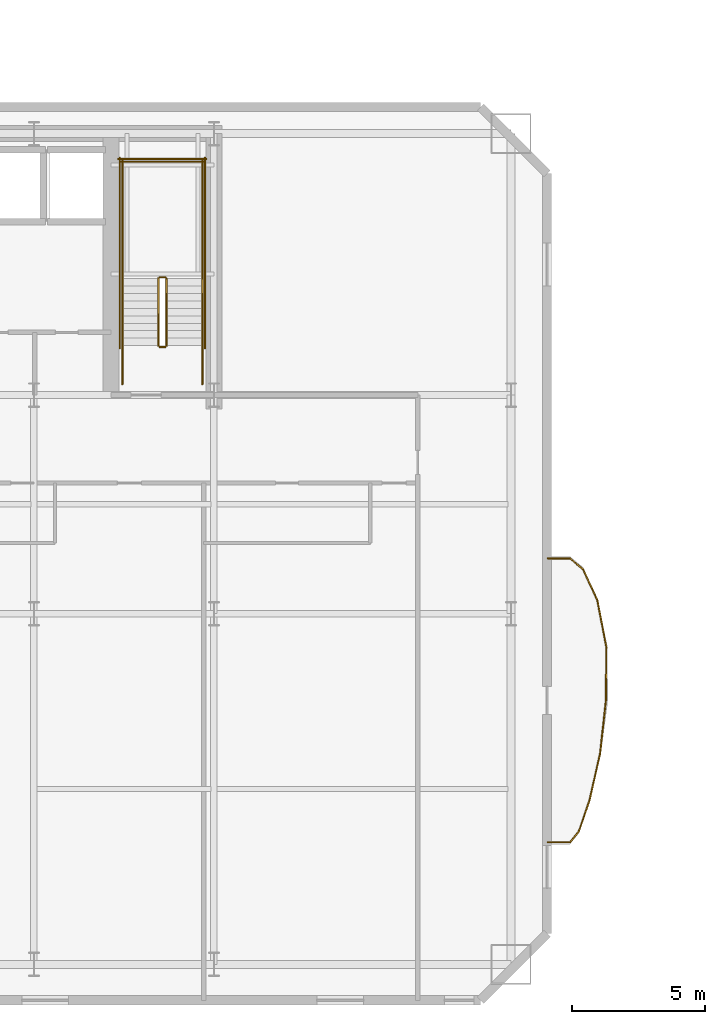
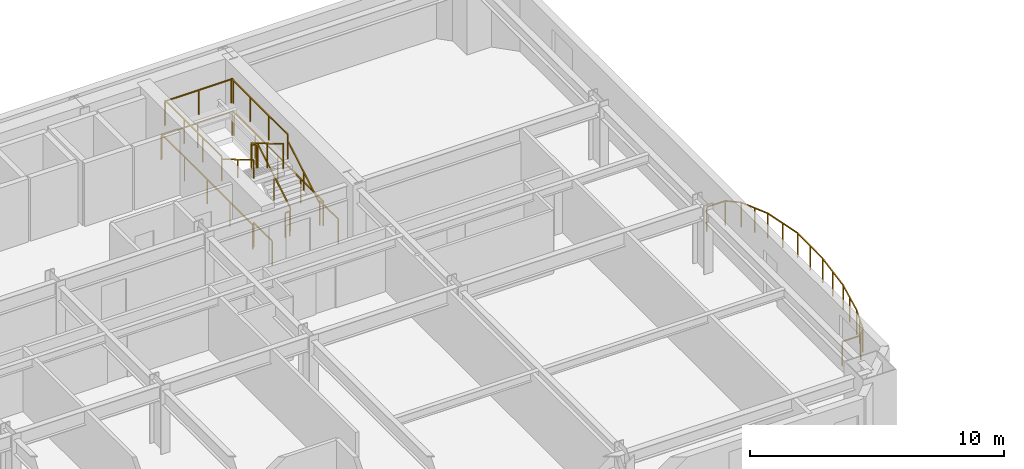
# One storey, part 13 of 16: 24 railings.
"""IFC4 building model written with IfcOpenShell, lengths in metres."""

import ifcopenshell
import ifcopenshell.guid

model = None  # the IFC model being written
_history = None  # IfcOwnerHistory: only IFC2X3 demands one
_inside = {}  # id of a spatial element -> (the spatial element, [elements in it])
_under = {}  # id of a project, library or spatial element -> (it, [spatial elements below it])
_declared = {}  # id of a project -> (the project, [libraries it declares])
_typed = {}  # id of a type object -> (the type object, [elements of that type])
_made_of = {}  # id of a material, layer set ... -> (it, [elements and type objects made of it])


def new_model(schema):
    """Start an empty IFC model of exactly this schema.

    Asked for "IFC4X3", IfcOpenShell would pick the latest addendum, in which some entities
    have other attributes; the version numbers below select the first issue.
    IFC2X3 requires an IfcOwnerHistory on every rooted entity: one is made here for all.
    """
    global model, _history
    if schema == "IFC4X3":
        model = ifcopenshell.file(schema_version=(4, 3, 0, 0))
    else:
        model = ifcopenshell.file(schema=schema)
    _inside.clear()
    _under.clear()
    _declared.clear()
    _typed.clear()
    _made_of.clear()
    _history = None
    if model.schema == "IFC2X3":
        org = make("IfcOrganization", Name="unknown")
        user = make(
            "IfcPersonAndOrganization",
            ThePerson=make("IfcPerson", FamilyName="unknown"),
            TheOrganization=org,
        )
        app = make(
            "IfcApplication",
            ApplicationDeveloper=org,
            Version="unknown",
            ApplicationFullName="unknown",
            ApplicationIdentifier="unknown",
        )
        _history = make(
            "IfcOwnerHistory",
            OwningUser=user,
            OwningApplication=app,
            ChangeAction="ADDED",
            CreationDate=0,
        )
    return model


def make(cls, **values):
    """One entity of the class cls with the attributes given. An attribute that is None is left unset."""
    return model.create_entity(
        cls, **{name: value for name, value in values.items() if value is not None}
    )


def rooted(cls, **values):
    """An entity with a GlobalId (a new one), such as an element, a storey or a relation."""
    return make(cls, GlobalId=ifcopenshell.guid.new(), OwnerHistory=_history, **values)


def si_unit(unit_type, name, prefix=None):
    """IfcSIUnit, for example si_unit("LENGTHUNIT", "METRE", prefix="MILLI")."""
    return make("IfcSIUnit", UnitType=unit_type, Prefix=prefix, Name=name)


def assignment(units):
    """IfcUnitAssignment: the units of a project."""
    return None if units is None else make("IfcUnitAssignment", Units=units)


def point(xyz):
    """IfcCartesianPoint."""
    return None if xyz is None else make("IfcCartesianPoint", Coordinates=xyz)


def direction(xyz):
    """IfcDirection."""
    return None if xyz is None else make("IfcDirection", DirectionRatios=xyz)


def frame(location, z_axis=None, x_axis=None):
    """IfcAxis2Placement3D, a coordinate frame: its origin and axes. An axis left out is left unset."""
    return make(
        "IfcAxis2Placement3D",
        Location=point(location),
        Axis=direction(z_axis),
        RefDirection=direction(x_axis),
    )


def frame_2d(location, x_axis=None):
    """IfcAxis2Placement2D, a coordinate frame in the plane: its origin and x axis."""
    return make(
        "IfcAxis2Placement2D", Location=point(location), RefDirection=direction(x_axis)
    )


def origin():
    """The frame at (0, 0, 0) with its axes left unset."""
    return frame((0.0, 0.0, 0.0))


def origin_2d():
    """The frame at (0, 0) in the plane with its x axis left unset."""
    return frame_2d((0.0, 0.0))


def place(relative_to, where):
    """IfcLocalPlacement: puts the frame where relative to a parent placement (None: the world)."""
    return make(
        "IfcLocalPlacement", PlacementRelTo=relative_to, RelativePlacement=where
    )


def context(
    kind, dimensions, precision=None, world=None, true_north=None, identifier=None
):
    """IfcGeometricRepresentationContext, for example the 3D "Model" context."""
    return make(
        "IfcGeometricRepresentationContext",
        ContextIdentifier=identifier,
        ContextType=kind,
        CoordinateSpaceDimension=dimensions,
        Precision=precision,
        WorldCoordinateSystem=world,
        TrueNorth=true_north,
    )


def subcontext(parent, identifier, kind, view, scale=None):
    """IfcGeometricRepresentationSubContext, for example "Body" below "Model"."""
    return make(
        "IfcGeometricRepresentationSubContext",
        ContextIdentifier=identifier,
        ContextType=kind,
        ParentContext=parent,
        TargetScale=scale,
        TargetView=view,
    )


def project(units=None, contexts=None):
    """IfcProject with its units and contexts."""
    return rooted(
        "IfcProject",
        Name="project",
        RepresentationContexts=contexts,
        UnitsInContext=assignment(units),
    )


def spatial(cls, under=None, at=None, **own):
    """A site, building, storey or space (cls), placed at a placement, below another one or the project."""
    s = rooted(cls, ObjectPlacement=at, **own)
    if under is not None:
        _under.setdefault(under.id(), (under, []))[1].append(s)
    return s


def profile(cls, at=None, kind="AREA", **sizes):
    """A parametric profile (cls). Its sizes go by their IFC names, for example OverallWidth=200.0."""
    return make(cls, ProfileType=kind, Position=at, **sizes)


def rectangle(**sizes):
    """IfcRectangleProfileDef."""
    return profile("IfcRectangleProfileDef", **sizes)


def extrude(swept, where, along, depth):
    """IfcExtrudedAreaSolid: the profile swept, set in the frame where, extruded along a direction by depth."""
    return make(
        "IfcExtrudedAreaSolid",
        SweptArea=swept,
        Position=where,
        ExtrudedDirection=direction(along),
        Depth=depth,
    )


def shape(context_of_items, identifier, shape_type, items):
    """IfcShapeRepresentation: the items that make up one representation, for example the "Body"."""
    return make(
        "IfcShapeRepresentation",
        ContextOfItems=context_of_items,
        RepresentationIdentifier=identifier,
        RepresentationType=shape_type,
        Items=items,
    )


def material(Name=None, Category=None):
    """IfcMaterial."""
    return make("IfcMaterial", Name=Name, Category=Category)


def made_of(thing, what):
    """Note that an element or type object is made of a material, layer set ...; save() writes the relation."""
    if what is not None:
        _made_of.setdefault(what.id(), (what, []))[1].append(thing)
    return thing


def type_object(cls, material=None, **own):
    """A type object (cls), such as IfcWallType, which elements share."""
    return made_of(rooted(cls, **own), material)


def element(
    cls,
    number,
    at=None,
    inside=None,
    cuts=None,
    type_object=None,
    material=None,
    context=None,
    identifier="Body",
    shape_type=None,
    held_by="IfcProductDefinitionShape",
    body=None,
    shapes=None,
    **own,
):
    """One element of the class cls, such as IfcWall. Its Tag is "e" and its number.

    at: its placement. inside: the storey or other place that contains it. cuts: it is an
    opening in that element (IfcRelVoidsElement). A single representation is given by context,
    identifier, shape_type and body (its items); several are given by shapes. held_by: the class
    of the entity that holds the representations. save() writes the other relations.
    """
    e = rooted(cls, Tag="e%d" % number, ObjectPlacement=at, **own)
    if body is not None:
        shapes = [shape(context, identifier, shape_type, body)]
    if shapes is not None:
        e.Representation = make(held_by, Representations=shapes)
    if inside is not None:
        _inside.setdefault(inside.id(), (inside, []))[1].append(e)
    if cuts is not None:
        rooted(
            "IfcRelVoidsElement", RelatingBuildingElement=cuts, RelatedOpeningElement=e
        )
    if type_object is not None:
        _typed.setdefault(type_object.id(), (type_object, []))[1].append(e)
    return made_of(e, material)


def aggregate(whole, parts):
    """IfcRelAggregates: a whole, such as a stair, and the parts it consists of."""
    return rooted("IfcRelAggregates", RelatingObject=whole, RelatedObjects=parts)


def save(model, path):
    """Write the relations noted so far, then the file.

    IfcRelAggregates (storeys below a building ...), IfcRelContainedInSpatialStructure (elements
    in a storey), IfcRelDefinesByType, IfcRelAssociatesMaterial and IfcRelDeclares: one each for
    every whole, place, type object, material and project.
    """
    for whole, parts in _under.values():
        aggregate(whole, parts)
    for where, things in _inside.values():
        rooted(
            "IfcRelContainedInSpatialStructure",
            RelatedElements=things,
            RelatingStructure=where,
        )
    for kind, things in _typed.values():
        rooted("IfcRelDefinesByType", RelatedObjects=things, RelatingType=kind)
    for what, things in _made_of.values():
        rooted("IfcRelAssociatesMaterial", RelatedObjects=things, RelatingMaterial=what)
    for by, libraries in _declared.values():
        rooted("IfcRelDeclares", RelatingContext=by, RelatedDefinitions=libraries)
    model.write(path)


model = new_model("IFC4")

# Units and contexts
model_context = context("Model", 3, precision=1e-05, world=origin(), true_north=direction((0.0, 1.0)))
body_context = subcontext(model_context, "Body", "Model", "MODEL_VIEW")
ifc_project = project(units=[si_unit("LENGTHUNIT", "METRE"), si_unit("AREAUNIT", "SQUARE_METRE"), si_unit("VOLUMEUNIT", "CUBIC_METRE"), si_unit("PLANEANGLEUNIT", "RADIAN"), si_unit("MASSUNIT", "GRAM", prefix="KILO")], contexts=[model_context])

# Site, building, storey
site_placement = place(None, origin())
site = spatial("IfcSite", under=ifc_project, at=site_placement, CompositionType="ELEMENT")
building_placement = place(site_placement, origin())
building = spatial("IfcBuilding", under=site, at=building_placement, Name="Haevon Station Towers", CompositionType="ELEMENT")
storey_placement = place(building_placement, frame((0.0, 0.0, 53.699951171875)))
storey = spatial("IfcBuildingStorey", under=building, at=storey_placement, Name="L13", CompositionType="ELEMENT", Elevation=53.699951171875)

# Railings
ifc_material = material(Name="Steel S355", Category="steel")
railing_type_1 = type_object("IfcRailingType", Name="GRD-EXT1200", PredefinedType="GUARDRAIL", material=ifc_material)
railing_1_placement = place(storey_placement, frame((63.523681640625, 21.427734375, 0.0)))
element("IfcRailing", 1, at=railing_1_placement, inside=storey, type_object=railing_type_1, Name="L13 Perimeter Guardrail 1", PredefinedType="GUARDRAIL", context=body_context, shape_type="SweptSolid", body=[
    extrude(rectangle(XDim=0.048095703125, YDim=0.048095703125, at=origin_2d()), frame((0.0, 0.0, 1.17578125), z_axis=(0.999997283225, 0.002330995998, 0.0), x_axis=(-0.002330995998, 0.999997283225, 0.0)), (0.0, 0.0, 1.0), 0.837890625),
    extrude(rectangle(XDim=0.0419921875, YDim=0.0419921875, at=origin_2d()), origin(), (0.0, 0.0, 1.0), 1.15185546875),
    extrude(rectangle(XDim=0.0419921875, YDim=0.0419921875, at=origin_2d()), frame((0.837890625, 0.001953125, 0.0)), (0.0, 0.0, 1.0), 1.15185546875),
])
railing_2_placement = place(storey_placement, frame((64.361572265625, 21.4296875, 0.0)))
element("IfcRailing", 2, at=railing_2_placement, inside=storey, type_object=railing_type_1, Name="L13 Perimeter Guardrail 2", PredefinedType="GUARDRAIL", context=body_context, shape_type="SweptSolid", body=[
    extrude(rectangle(XDim=0.048095703125, YDim=0.048095703125, at=origin_2d()), frame((0.0, 0.0, 1.17578125), z_axis=(0.626104860379, 0.779738868987, 0.0), x_axis=(-0.779738868987, 0.626104860379, 0.0)), (0.0, 0.0, 1.0), 0.527587890625),
    extrude(rectangle(XDim=0.0419921875, YDim=0.0419921875, at=origin_2d()), origin(), (0.0, 0.0, 1.0), 1.15185546875),
    extrude(rectangle(XDim=0.0419921875, YDim=0.0419921875, at=origin_2d()), frame((0.330322265625, 0.411376953125, 0.0)), (0.0, 0.0, 1.0), 1.15185546875),
])
railing_3_placement = place(storey_placement, frame((64.69189453125, 21.841064453125, 0.0)))
element("IfcRailing", 3, at=railing_3_placement, inside=storey, type_object=railing_type_1, Name="L13 Perimeter Guardrail 3", PredefinedType="GUARDRAIL", context=body_context, shape_type="SweptSolid", body=[
    extrude(rectangle(XDim=0.048095703125, YDim=0.048095703125, at=origin_2d()), frame((0.0, 0.0, 1.17578125), z_axis=(0.324208289562, 0.94598572134, 0.0), x_axis=(-0.94598572134, 0.324208289562, 0.0)), (0.0, 0.0, 1.0), 1.2373046875),
    extrude(rectangle(XDim=0.0419921875, YDim=0.0419921875, at=origin_2d()), origin(), (0.0, 0.0, 1.0), 1.15185546875),
    extrude(rectangle(XDim=0.0419921875, YDim=0.0419921875, at=origin_2d()), frame((0.20068359375, 0.585205078125, 0.0)), (0.0, 0.0, 1.0), 1.15185546875),
    extrude(rectangle(XDim=0.0419921875, YDim=0.0419921875, at=origin_2d()), frame((0.401123046875, 1.17041015625, 0.0)), (0.0, 0.0, 1.0), 1.15185546875),
])
railing_4_placement = place(storey_placement, frame((65.093017578125, 23.011474609375, 0.0)))
element("IfcRailing", 4, at=railing_4_placement, inside=storey, type_object=railing_type_1, Name="L13 Perimeter Guardrail 4", PredefinedType="GUARDRAIL", context=body_context, shape_type="SweptSolid", body=[
    extrude(rectangle(XDim=0.048095703125, YDim=0.048095703125, at=origin_2d()), frame((0.0, 0.0, 1.17578125), z_axis=(0.219570571944, 0.975596619478, 0.0), x_axis=(-0.975596619478, 0.219570571944, 0.0)), (0.0, 0.0, 1.0), 1.791259765625),
    extrude(rectangle(XDim=0.0419921875, YDim=0.0419921875, at=origin_2d()), origin(), (0.0, 0.0, 1.0), 1.15185546875),
    extrude(rectangle(XDim=0.0419921875, YDim=0.0419921875, at=origin_2d()), frame((0.19677734375, 0.873779296875, 0.0)), (0.0, 0.0, 1.0), 1.15185546875),
    extrude(rectangle(XDim=0.0419921875, YDim=0.0419921875, at=origin_2d()), frame((0.393310546875, 1.74755859375, 0.0)), (0.0, 0.0, 1.0), 1.15185546875),
])
railing_5_placement = place(storey_placement, frame((65.486328125, 24.759033203125, 0.0)))
element("IfcRailing", 5, at=railing_5_placement, inside=storey, type_object=railing_type_1, Name="L13 Perimeter Guardrail 5", PredefinedType="GUARDRAIL", context=body_context, shape_type="SweptSolid", body=[
    extrude(rectangle(XDim=0.048095703125, YDim=0.048095703125, at=origin_2d()), frame((0.0, 0.0, 1.17578125), z_axis=(0.108852691243, 0.994057891478, 0.0), x_axis=(-0.994057891478, 0.108852691243, 0.0)), (0.0, 0.0, 1.0), 2.0029296875),
    extrude(rectangle(XDim=0.0419921875, YDim=0.0419921875, at=origin_2d()), origin(), (0.0, 0.0, 1.0), 1.15185546875),
    extrude(rectangle(XDim=0.0419921875, YDim=0.0419921875, at=origin_2d()), frame((0.10888671875, 0.99560546875, 0.0)), (0.0, 0.0, 1.0), 1.15185546875),
    extrude(rectangle(XDim=0.0419921875, YDim=0.0419921875, at=origin_2d()), frame((0.218017578125, 1.990966796875, 0.0)), (0.0, 0.0, 1.0), 1.15185546875),
])
railing_6_placement = place(storey_placement, frame((65.704345703125, 26.75, 0.0)))
element("IfcRailing", 6, at=railing_6_placement, inside=storey, type_object=railing_type_1, Name="L13 Perimeter Guardrail 6", PredefinedType="GUARDRAIL", context=body_context, shape_type="SweptSolid", body=[
    extrude(rectangle(XDim=0.048095703125, YDim=0.048095703125, at=origin_2d()), frame((0.0, 0.0, 1.17578125), z_axis=(0.008448333236, 0.999964312196, 0.0), x_axis=(-0.999964312196, 0.008448333236, 0.0)), (0.0, 0.0, 1.0), 1.993896484375),
    extrude(rectangle(XDim=0.0419921875, YDim=0.0419921875, at=origin_2d()), origin(), (0.0, 0.0, 1.0), 1.15185546875),
    extrude(rectangle(XDim=0.0419921875, YDim=0.0419921875, at=origin_2d()), frame((0.00830078125, 0.9970703125, 0.0)), (0.0, 0.0, 1.0), 1.15185546875),
    extrude(rectangle(XDim=0.0419921875, YDim=0.0419921875, at=origin_2d()), frame((0.016845703125, 1.993896484375, 0.0)), (0.0, 0.0, 1.0), 1.15185546875),
])
railing_7_placement = place(storey_placement, frame((65.72119140625, 28.743896484375, 0.0)))
element("IfcRailing", 7, at=railing_7_placement, inside=storey, type_object=railing_type_1, Name="L13 Perimeter Guardrail 7", PredefinedType="GUARDRAIL", context=body_context, shape_type="SweptSolid", body=[
    extrude(rectangle(XDim=0.048095703125, YDim=0.048095703125, at=origin_2d()), frame((0.0, 0.0, 1.17578125), z_axis=(-0.189270206795, 0.981925042363, 0.0), x_axis=(-0.981925042363, -0.189270206795, 0.0)), (0.0, 0.0, 1.0), 1.777587890625),
    extrude(rectangle(XDim=0.0419921875, YDim=0.0419921875, at=origin_2d()), origin(), (0.0, 0.0, 1.0), 1.15185546875),
    extrude(rectangle(XDim=0.0419921875, YDim=0.0419921875, at=origin_2d()), frame((-0.168212890625, 0.87255859375, 0.0)), (0.0, 0.0, 1.0), 1.15185546875),
    extrude(rectangle(XDim=0.0419921875, YDim=0.0419921875, at=origin_2d()), frame((-0.33642578125, 1.745361328125, 0.0)), (0.0, 0.0, 1.0), 1.15185546875),
])
railing_8_placement = place(storey_placement, frame((65.384765625, 30.4892578125, 0.0)))
element("IfcRailing", 8, at=railing_8_placement, inside=storey, type_object=railing_type_1, Name="L13 Perimeter Guardrail 8", PredefinedType="GUARDRAIL", context=body_context, shape_type="SweptSolid", body=[
    extrude(rectangle(XDim=0.048095703125, YDim=0.048095703125, at=origin_2d()), frame((0.0, 0.0, 1.17578125), z_axis=(-0.414318131111, 0.910132125701, 0.0), x_axis=(-0.910132125701, -0.414318131111, 0.0)), (0.0, 0.0, 1.0), 1.28515625),
    extrude(rectangle(XDim=0.0419921875, YDim=0.0419921875, at=origin_2d()), origin(), (0.0, 0.0, 1.0), 1.15185546875),
    extrude(rectangle(XDim=0.0419921875, YDim=0.0419921875, at=origin_2d()), frame((-0.26611328125, 0.5849609375, 0.0)), (0.0, 0.0, 1.0), 1.15185546875),
    extrude(rectangle(XDim=0.0419921875, YDim=0.0419921875, at=origin_2d()), frame((-0.532470703125, 1.169677734375, 0.0)), (0.0, 0.0, 1.0), 1.15185546875),
])
railing_9_placement = place(storey_placement, frame((64.852294921875, 31.658935546875, 0.0)))
element("IfcRailing", 9, at=railing_9_placement, inside=storey, type_object=railing_type_1, Name="L13 Perimeter Guardrail 9", PredefinedType="GUARDRAIL", context=body_context, shape_type="SweptSolid", body=[
    extrude(rectangle(XDim=0.048095703125, YDim=0.048095703125, at=origin_2d()), frame((0.0, 0.0, 1.17578125), z_axis=(-0.766342909973, 0.642431742938, 0.0), x_axis=(-0.642431742938, -0.766342909973, 0.0)), (0.0, 0.0, 1.0), 0.640380859375),
    extrude(rectangle(XDim=0.0419921875, YDim=0.0419921875, at=origin_2d()), origin(), (0.0, 0.0, 1.0), 1.15185546875),
    extrude(rectangle(XDim=0.0419921875, YDim=0.0419921875, at=origin_2d()), frame((-0.49072265625, 0.411376953125, 0.0)), (0.0, 0.0, 1.0), 1.15185546875),
])
railing_10_placement = place(storey_placement, frame((64.361572265625, 32.0703125, 0.0)))
element("IfcRailing", 10, at=railing_10_placement, inside=storey, type_object=railing_type_1, Name="L13 Perimeter Guardrail 10", PredefinedType="GUARDRAIL", context=body_context, shape_type="SweptSolid", body=[
    extrude(rectangle(XDim=0.048095703125, YDim=0.048095703125, at=origin_2d()), frame((0.0, 0.0, 1.17578125), z_axis=(-0.999997283225, 0.002330995998, 0.0), x_axis=(-0.002330995998, -0.999997283225, 0.0)), (0.0, 0.0, 1.0), 0.837890625),
    extrude(rectangle(XDim=0.0419921875, YDim=0.0419921875, at=origin_2d()), origin(), (0.0, 0.0, 1.0), 1.15185546875),
    extrude(rectangle(XDim=0.0419921875, YDim=0.0419921875, at=origin_2d()), frame((-0.837890625, 0.001953125, 0.0)), (0.0, 0.0, 1.0), 1.15185546875),
])
railing_type_2 = type_object("IfcRailingType", Name="GRD-STR1200", PredefinedType="GUARDRAIL", material=ifc_material)
railing_11_placement = place(storey_placement, frame((49.219970703125, 40.050048828125, 0.1650390625)))
element("IfcRailing", 11, at=railing_11_placement, inside=storey, type_object=railing_type_2, Name="L13 ST2 Stair Guard 1", PredefinedType="GUARDRAIL", context=body_context, shape_type="SweptSolid", body=[
    extrude(rectangle(XDim=0.048095703125, YDim=0.048095703125, at=origin_2d()), frame((0.0, 0.0, 1.17578125), z_axis=(0.0, 0.86152411907, 0.507716645641), x_axis=(-1.0, 0.0, 0.0)), (0.0, 0.0, 1.0), 2.925048828125),
    extrude(rectangle(XDim=0.0419921875, YDim=0.0419921875, at=origin_2d()), origin(), (0.0, 0.0, 1.0), 1.15185546875),
    extrude(rectangle(XDim=0.0419921875, YDim=0.0419921875, at=origin_2d()), frame((0.0, 1.260009765625, 0.74267578125)), (0.0, 0.0, 1.0), 1.15185546875),
    extrude(rectangle(XDim=0.0419921875, YDim=0.0419921875, at=origin_2d()), frame((0.0, 2.52001953125, 1.485107421875)), (0.0, 0.0, 1.0), 1.15185546875),
])
railing_12_placement = place(storey_placement, frame((49.169921875, 42.6201171875, 1.650146484375)))
element("IfcRailing", 12, at=railing_12_placement, inside=storey, type_object=railing_type_2, Name="L13 ST2 Stair Guard 2", PredefinedType="GUARDRAIL", context=body_context, shape_type="SweptSolid", body=[
    extrude(rectangle(XDim=0.048095703125, YDim=0.048095703125, at=origin_2d()), frame((0.0, 0.0, 1.17578125), z_axis=(-1.0, 0.0, 0.0), x_axis=(0.0, -1.0, 0.0)), (0.0, 0.0, 1.0), 0.199951171875),
    extrude(rectangle(XDim=0.0419921875, YDim=0.0419921875, at=origin_2d()), origin(), (0.0, 0.0, 1.0), 1.15185546875),
    extrude(rectangle(XDim=0.0419921875, YDim=0.0419921875, at=origin_2d()), frame((-0.199951171875, 0.0, 0.0)), (0.0, 0.0, 1.0), 1.15185546875),
])
for number, where, name in (
    (13, (50.570068359375, 42.570068359375, 1.650146484375), "L13 ST2 Stair Guard 3"),
    (14, (47.570068359375, 42.570068359375, 1.650146484375), "L13 ST2 Stair Guard 4"),
):
    element("IfcRailing", number, at=place(storey_placement, frame(where)), inside=storey, type_object=railing_type_2, Name=name, PredefinedType="GUARDRAIL", context=body_context, shape_type="SweptSolid", body=[
        extrude(rectangle(XDim=0.048095703125, YDim=0.048095703125, at=origin_2d()), frame((0.0, 0.0, 1.17578125), z_axis=(0.0, 1.0, 0.0), x_axis=(-1.0, 0.0, 0.0)), (0.0, 0.0, 1.0), 4.429931640625),
        extrude(rectangle(XDim=0.0419921875, YDim=0.0419921875, at=origin_2d()), origin(), (0.0, 0.0, 1.0), 1.15185546875),
        extrude(rectangle(XDim=0.0419921875, YDim=0.0419921875, at=origin_2d()), frame((0.0, 1.4765625, 0.0)), (0.0, 0.0, 1.0), 1.15185546875),
        extrude(rectangle(XDim=0.0419921875, YDim=0.0419921875, at=origin_2d()), frame((0.0, 2.953369140625, 0.0)), (0.0, 0.0, 1.0), 1.15185546875),
        extrude(rectangle(XDim=0.0419921875, YDim=0.0419921875, at=origin_2d()), frame((0.0, 4.429931640625, 0.0)), (0.0, 0.0, 1.0), 1.15185546875),
    ])
railing_13_placement = place(storey_placement, frame((50.6201171875, 46.949951171875, 1.650146484375)))
element("IfcRailing", 15, at=railing_13_placement, inside=storey, type_object=railing_type_2, Name="L13 ST2 Stair Guard 5", PredefinedType="GUARDRAIL", context=body_context, shape_type="SweptSolid", body=[
    extrude(rectangle(XDim=0.048095703125, YDim=0.048095703125, at=origin_2d()), frame((0.0, 0.0, 1.17578125), z_axis=(-1.0, 0.0, 0.0), x_axis=(0.0, -1.0, 0.0)), (0.0, 0.0, 1.0), 3.10009765625),
    extrude(rectangle(XDim=0.0419921875, YDim=0.0419921875, at=origin_2d()), origin(), (0.0, 0.0, 1.0), 1.15185546875),
    extrude(rectangle(XDim=0.0419921875, YDim=0.0419921875, at=origin_2d()), frame((-1.550048828125, 0.0, 0.0)), (0.0, 0.0, 1.0), 1.15185546875),
    extrude(rectangle(XDim=0.0419921875, YDim=0.0419921875, at=origin_2d()), frame((-3.10009765625, 0.0, 0.0)), (0.0, 0.0, 1.0), 1.15185546875),
])
railing_14_placement = place(storey_placement, frame((48.919921875, 42.570068359375, 1.81494140625)))
element("IfcRailing", 16, at=railing_14_placement, inside=storey, type_object=railing_type_2, Name="L13 ST2 Stair Guard 6", PredefinedType="GUARDRAIL", context=body_context, shape_type="SweptSolid", body=[
    extrude(rectangle(XDim=0.048095703125, YDim=0.048095703125, at=origin_2d()), frame((0.0, 0.0, 1.17578125), z_axis=(0.0, -0.86152411907, 0.507716645641), x_axis=(1.0, 0.0, 0.0)), (0.0, 0.0, 1.0), 2.925048828125),
    extrude(rectangle(XDim=0.0419921875, YDim=0.0419921875, at=origin_2d()), origin(), (0.0, 0.0, 1.0), 1.15185546875),
    extrude(rectangle(XDim=0.0419921875, YDim=0.0419921875, at=origin_2d()), frame((0.0, -1.260009765625, 0.74267578125)), (0.0, 0.0, 1.0), 1.15185546875),
    extrude(rectangle(XDim=0.0419921875, YDim=0.0419921875, at=origin_2d()), frame((0.0, -2.52001953125, 1.485107421875)), (0.0, 0.0, 1.0), 1.15185546875),
])
railing_15_placement = place(storey_placement, frame((49.169921875, 40.0, 0.0)))
element("IfcRailing", 17, at=railing_15_placement, inside=storey, type_object=railing_type_2, Name="L13 ST2 Stair Guard 7", PredefinedType="GUARDRAIL", context=body_context, shape_type="SweptSolid", body=[
    extrude(rectangle(XDim=0.048095703125, YDim=0.048095703125, at=origin_2d()), frame((0.0, 0.0, 1.17578125), z_axis=(-1.0, 0.0, 0.0), x_axis=(0.0, -1.0, 0.0)), (0.0, 0.0, 1.0), 0.199951171875),
    extrude(rectangle(XDim=0.0419921875, YDim=0.0419921875, at=origin_2d()), origin(), (0.0, 0.0, 1.0), 1.15185546875),
    extrude(rectangle(XDim=0.0419921875, YDim=0.0419921875, at=origin_2d()), frame((-0.199951171875, 0.0, 0.0)), (0.0, 0.0, 1.0), 1.15185546875),
])
for number, where, name in (
    (18, (50.570068359375, 38.60009765625, 0.0), "L13 ST2 Stair Guard 8"),
    (19, (47.570068359375, 38.60009765625, 0.0), "L13 ST2 Stair Guard 9"),
):
    element("IfcRailing", number, at=place(storey_placement, frame(where)), inside=storey, type_object=railing_type_2, Name=name, PredefinedType="GUARDRAIL", context=body_context, shape_type="SweptSolid", body=[
        extrude(rectangle(XDim=0.048095703125, YDim=0.048095703125, at=origin_2d()), frame((0.0, 0.0, 1.17578125), z_axis=(0.0, 1.0, 0.0), x_axis=(-1.0, 0.0, 0.0)), (0.0, 0.0, 1.0), 1.449951171875),
        extrude(rectangle(XDim=0.0419921875, YDim=0.0419921875, at=origin_2d()), origin(), (0.0, 0.0, 1.0), 1.15185546875),
        extrude(rectangle(XDim=0.0419921875, YDim=0.0419921875, at=origin_2d()), frame((0.0, 1.449951171875, 0.0)), (0.0, 0.0, 1.0), 1.15185546875),
    ])
for number, where, name in (
    (20, (50.669921875, 39.949951171875, 0.0), "L13 ST2 Stair Guard 10"),
    (21, (47.469970703125, 39.949951171875, 0.0), "L13 ST2 Stair Guard 11"),
):
    element("IfcRailing", number, at=place(storey_placement, frame(where)), inside=storey, type_object=railing_type_2, Name=name, PredefinedType="GUARDRAIL", context=body_context, shape_type="SweptSolid", body=[
        extrude(rectangle(XDim=0.048095703125, YDim=0.048095703125, at=origin_2d()), frame((0.0, 0.0, 1.17578125), z_axis=(0.0, 1.0, 0.0), x_axis=(-1.0, 0.0, 0.0)), (0.0, 0.0, 1.0), 7.150146484375),
        extrude(rectangle(XDim=0.0419921875, YDim=0.0419921875, at=origin_2d()), origin(), (0.0, 0.0, 1.0), 1.15185546875),
        extrude(rectangle(XDim=0.0419921875, YDim=0.0419921875, at=origin_2d()), frame((0.0, 1.78759765625, 0.0)), (0.0, 0.0, 1.0), 1.15185546875),
        extrude(rectangle(XDim=0.0419921875, YDim=0.0419921875, at=origin_2d()), frame((0.0, 3.5751953125, 0.0)), (0.0, 0.0, 1.0), 1.15185546875),
        extrude(rectangle(XDim=0.0419921875, YDim=0.0419921875, at=origin_2d()), frame((0.0, 5.362548828125, 0.0)), (0.0, 0.0, 1.0), 1.15185546875),
        extrude(rectangle(XDim=0.0419921875, YDim=0.0419921875, at=origin_2d()), frame((0.0, 7.150146484375, 0.0)), (0.0, 0.0, 1.0), 1.15185546875),
    ])
railing_16_placement = place(storey_placement, frame((50.719970703125, 47.050048828125, 0.0)))
element("IfcRailing", 22, at=railing_16_placement, inside=storey, type_object=railing_type_2, Name="L13 ST2 Stair Guard 12", PredefinedType="GUARDRAIL", context=body_context, shape_type="SweptSolid", body=[
    extrude(rectangle(XDim=0.048095703125, YDim=0.048095703125, at=origin_2d()), frame((0.0, 0.0, 1.17578125), z_axis=(-1.0, 0.0, 0.0), x_axis=(0.0, -1.0, 0.0)), (0.0, 0.0, 1.0), 3.300048828125),
    extrude(rectangle(XDim=0.0419921875, YDim=0.0419921875, at=origin_2d()), origin(), (0.0, 0.0, 1.0), 1.15185546875),
    extrude(rectangle(XDim=0.0419921875, YDim=0.0419921875, at=origin_2d()), frame((-1.64990234375, 0.0, 0.0)), (0.0, 0.0, 1.0), 1.15185546875),
    extrude(rectangle(XDim=0.0419921875, YDim=0.0419921875, at=origin_2d()), frame((-3.300048828125, 0.0, 0.0)), (0.0, 0.0, 1.0), 1.15185546875),
])
railing_type_3 = type_object("IfcRailingType", Name="HND-STR900", PredefinedType="HANDRAIL", material=ifc_material)
railing_17_placement = place(storey_placement, frame((50.570068359375, 40.050048828125, 0.1650390625)))
element("IfcRailing", 23, at=railing_17_placement, inside=storey, type_object=railing_type_3, Name="L13 ST2 Stair Handrail 1", PredefinedType="HANDRAIL", context=body_context, shape_type="SweptSolid", body=[
    extrude(rectangle(XDim=0.048095703125, YDim=0.048095703125, at=origin_2d()), frame((0.0, 0.0, 0.8759765625), z_axis=(0.0, 0.86152411907, 0.507716645641), x_axis=(-1.0, 0.0, 0.0)), (0.0, 0.0, 1.0), 2.925048828125),
    extrude(rectangle(XDim=0.0419921875, YDim=0.0419921875, at=origin_2d()), origin(), (0.0, 0.0, 1.0), 0.851806640625),
    extrude(rectangle(XDim=0.0419921875, YDim=0.0419921875, at=origin_2d()), frame((0.0, 1.260009765625, 0.74267578125)), (0.0, 0.0, 1.0), 0.851806640625),
    extrude(rectangle(XDim=0.0419921875, YDim=0.0419921875, at=origin_2d()), frame((0.0, 2.52001953125, 1.485107421875)), (0.0, 0.0, 1.0), 0.851806640625),
])
railing_18_placement = place(storey_placement, frame((47.570068359375, 42.570068359375, 1.81494140625)))
element("IfcRailing", 24, at=railing_18_placement, inside=storey, type_object=railing_type_3, Name="L13 ST2 Stair Handrail 2", PredefinedType="HANDRAIL", context=body_context, shape_type="SweptSolid", body=[
    extrude(rectangle(XDim=0.048095703125, YDim=0.048095703125, at=origin_2d()), frame((0.0, 0.0, 0.8759765625), z_axis=(0.0, -0.86152411907, 0.507716645641), x_axis=(1.0, 0.0, 0.0)), (0.0, 0.0, 1.0), 2.925048828125),
    extrude(rectangle(XDim=0.0419921875, YDim=0.0419921875, at=origin_2d()), origin(), (0.0, 0.0, 1.0), 0.851806640625),
    extrude(rectangle(XDim=0.0419921875, YDim=0.0419921875, at=origin_2d()), frame((0.0, -1.260009765625, 0.74267578125)), (0.0, 0.0, 1.0), 0.851806640625),
    extrude(rectangle(XDim=0.0419921875, YDim=0.0419921875, at=origin_2d()), frame((0.0, -2.52001953125, 1.485107421875)), (0.0, 0.0, 1.0), 0.851806640625),
])

save(model, "model.ifc")
